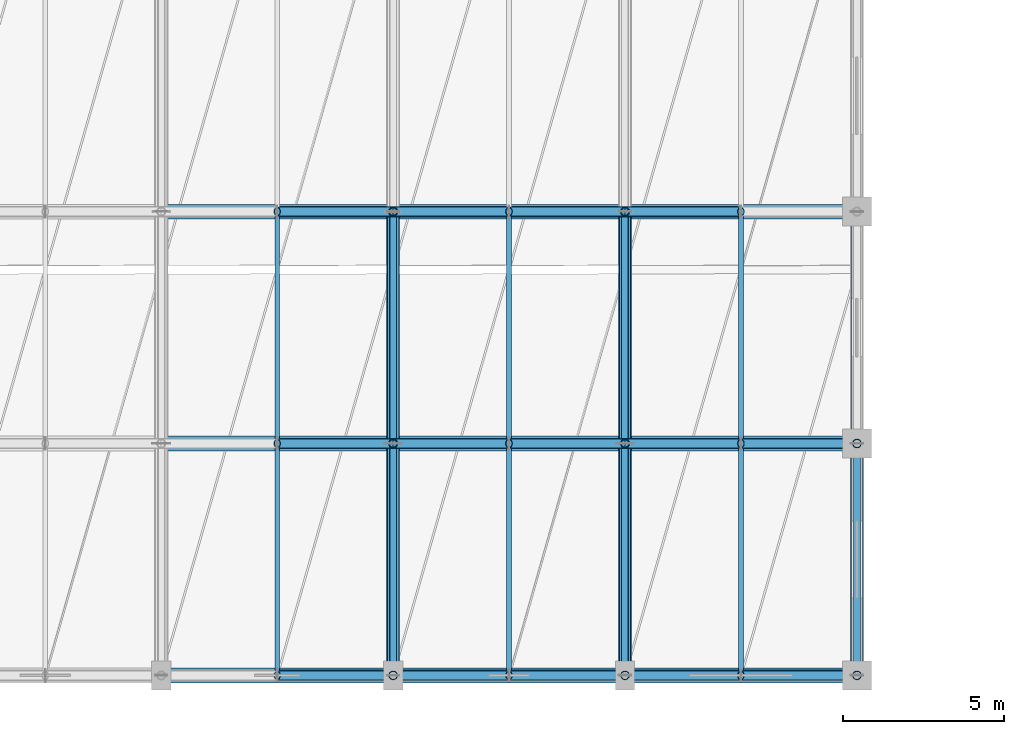
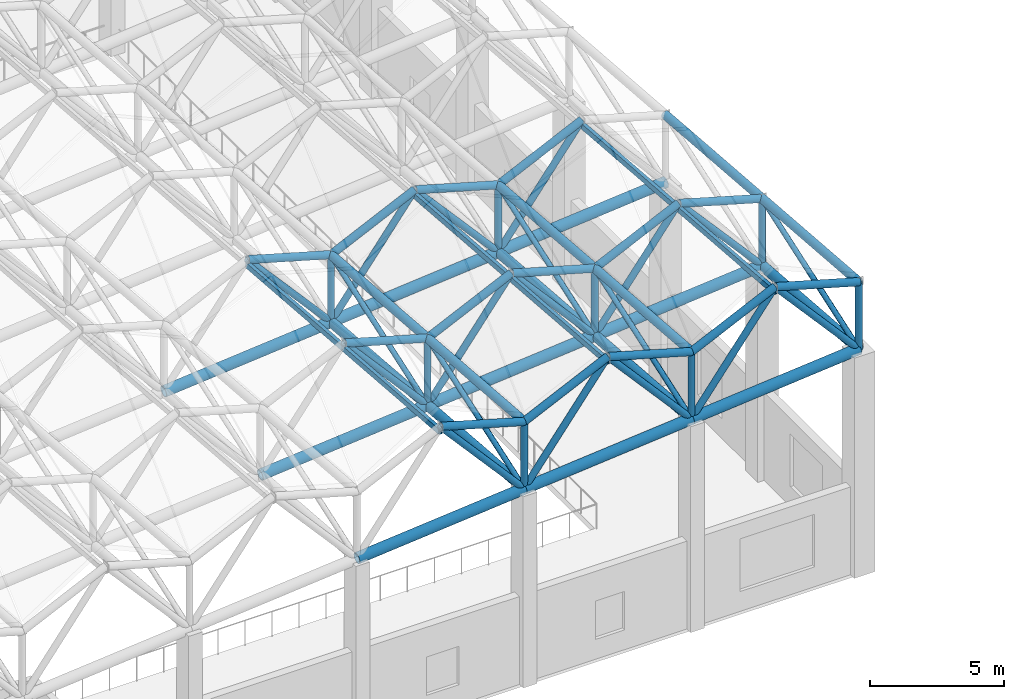
# One storey, part 21 of 113: 67 members.
"""IFC4 building model written with IfcOpenShell, lengths in metres."""

from ifc_helpers import new_model, si_unit, direction, frame, origin, origin_2d, place, context, subcontext, project, spatial, hollow_rectangle, hollow_circle, extrude, material, material_profile, profile_set, type_object, element, save


model = new_model("IFC4")

# Units and contexts
model_context = context("Model", 3, precision=1e-05, world=origin(), true_north=direction((0.0, 1.0)))
body_context = subcontext(model_context, "Body", "Model", "MODEL_VIEW")
ifc_project = project(units=[si_unit("LENGTHUNIT", "METRE"), si_unit("AREAUNIT", "SQUARE_METRE"), si_unit("VOLUMEUNIT", "CUBIC_METRE"), si_unit("PLANEANGLEUNIT", "RADIAN"), si_unit("MASSUNIT", "GRAM", prefix="KILO")], contexts=[model_context])

# Site, building, storey
site_placement = place(None, origin())
site = spatial("IfcSite", under=ifc_project, at=site_placement, CompositionType="ELEMENT")
building_placement = place(site_placement, origin())
building = spatial("IfcBuilding", under=site, at=building_placement, Name="Carrowvane Square Congress Hotel", CompositionType="ELEMENT")
storey_placement = place(building_placement, frame((0.0, 0.0, 15.0)))
storey = spatial("IfcBuildingStorey", under=building, at=storey_placement, Name="L03", CompositionType="ELEMENT", Elevation=15.0)

# Members
ifc_material_1 = material(Name="Steel S355", Category="steel")
ifc_material_profile_1 = material_profile(ifc_material_1, hollow_rectangle(XDim=0.14990234375, YDim=0.25, WallThickness=0.012451171875, at=origin_2d()), Name="RHS 250x150x12.5")
ifc_profile_set_1 = profile_set([ifc_material_profile_1], Name="Steel S355")
member_type_1 = type_object("IfcMemberType", Name="MEM-PR-RHS250", PredefinedType="PURLIN", material=ifc_profile_set_1)
member_1_placement = place(storey_placement, frame((44.0, 5.39990234375, 12.567138671875), z_axis=(0.0, 0.996864419257, -0.079128563864), x_axis=(-1.0, 0.0, 0.0)))
element("IfcMember", 1, at=member_1_placement, inside=storey, type_object=member_type_1, Name="Space-frame ridge purlin 477", PredefinedType="PURLIN", context=body_context, shape_type="SweptSolid", body=[
    extrude(hollow_rectangle(XDim=0.14990234375, YDim=0.25, WallThickness=0.012451171875, at=origin_2d()), origin(), (0.0, 0.0, 1.0), 7.222900390625),
])
member_2_placement = place(storey_placement, frame((44.0, 12.60009765625, 11.99560546875), z_axis=(0.0, 0.996866873479, -0.079097639413), x_axis=(-1.0, 0.0, 0.0)))
element("IfcMember", 2, at=member_2_placement, inside=storey, type_object=member_type_1, Name="Space-frame ridge purlin 478", PredefinedType="PURLIN", context=body_context, shape_type="SweptSolid", body=[
    extrude(hollow_rectangle(XDim=0.14990234375, YDim=0.25, WallThickness=0.012451171875, at=origin_2d()), origin(), (0.0, 0.0, 1.0), 7.22265625),
])
member_3_placement = place(storey_placement, frame((51.199951171875, 5.39990234375, 13.224365234375), z_axis=(0.0, 0.996864419257, -0.079128563864), x_axis=(-1.0, 0.0, 0.0)))
element("IfcMember", 3, at=member_3_placement, inside=storey, type_object=member_type_1, Name="Space-frame ridge purlin 484", PredefinedType="PURLIN", context=body_context, shape_type="SweptSolid", body=[
    extrude(hollow_rectangle(XDim=0.14990234375, YDim=0.25, WallThickness=0.012451171875, at=origin_2d()), origin(), (0.0, 0.0, 1.0), 7.222900390625),
])
member_4_placement = place(storey_placement, frame((51.199951171875, 12.60009765625, 12.65283203125), z_axis=(0.0, 0.996866873479, -0.079097639413), x_axis=(-1.0, 0.0, 0.0)))
element("IfcMember", 4, at=member_4_placement, inside=storey, type_object=member_type_1, Name="Space-frame ridge purlin 485", PredefinedType="PURLIN", context=body_context, shape_type="SweptSolid", body=[
    extrude(hollow_rectangle(XDim=0.14990234375, YDim=0.25, WallThickness=0.012451171875, at=origin_2d()), origin(), (0.0, 0.0, 1.0), 7.22265625),
])
member_5_placement = place(storey_placement, frame((58.39990234375, 5.39990234375, 13.88134765625), z_axis=(0.0, 0.996867084951, -0.079094974189), x_axis=(-1.0, 0.0, 0.0)))
element("IfcMember", 5, at=member_5_placement, inside=storey, type_object=member_type_1, Name="Space-frame ridge purlin 491", PredefinedType="PURLIN", context=body_context, shape_type="SweptSolid", body=[
    extrude(hollow_rectangle(XDim=0.14990234375, YDim=0.25, WallThickness=0.012451171875, at=origin_2d()), origin(), (0.0, 0.0, 1.0), 7.222900390625),
])
member_6_placement = place(storey_placement, frame((58.39990234375, 12.60009765625, 13.31005859375), z_axis=(0.0, 0.996864207606, -0.079131230206), x_axis=(-1.0, 0.0, 0.0)))
element("IfcMember", 6, at=member_6_placement, inside=storey, type_object=member_type_1, Name="Space-frame ridge purlin 492", PredefinedType="PURLIN", context=body_context, shape_type="SweptSolid", body=[
    extrude(hollow_rectangle(XDim=0.14990234375, YDim=0.25, WallThickness=0.012451171875, at=origin_2d()), origin(), (0.0, 0.0, 1.0), 7.22265625),
])
ifc_material_2 = material(Name="Steel S355", Category="steel")
ifc_material_profile_2 = material_profile(ifc_material_2, hollow_circle(Radius=0.136474609375, WallThickness=0.01611328125, at=origin_2d()), Name="CHS 273.0x16")
ifc_profile_set_2 = profile_set([ifc_material_profile_2], Name="Steel S355")
member_type_2 = type_object("IfcMemberType", Name="MEM-ST-CHS273", PredefinedType="STRUT", material=ifc_profile_set_2)
member_7_placement = place(storey_placement, frame((47.60009765625, 5.39990234375, 8.705810546875), z_axis=(0.0, 0.0, 1.0), x_axis=(1.0, 0.0, 0.0)))
element("IfcMember", 7, at=member_7_placement, inside=storey, type_object=member_type_2, Name="Space-frame vertical post 538", PredefinedType="STRUT", context=body_context, shape_type="SweptSolid", body=[
    extrude(hollow_circle(Radius=0.136474609375, WallThickness=0.01611328125, at=origin_2d()), origin(), (0.0, 0.0, 1.0), 3.0498046875),
])
for number, where, z_axis, x_axis, name in (
    (8, (47.60009765625, 12.60009765625, 8.13427734375), (0.0, 0.0, 1.0), (1.0, 0.0, 0.0), "Space-frame vertical post 539"),
    (9, (47.60009765625, 19.800048828125, 7.562744140625), (0.0, 0.0, 1.0), (1.0, 0.0, 0.0), "Space-frame vertical post 540"),
    (10, (54.800048828125, 5.39990234375, 9.36279296875), (0.0, 0.0, 1.0), (1.0, 0.0, 0.0), "Space-frame vertical post 546"),
):
    element("IfcMember", number, at=place(storey_placement, frame(where, z_axis=z_axis, x_axis=x_axis)), inside=storey, type_object=member_type_2, Name=name, PredefinedType="STRUT", context=body_context, shape_type="SweptSolid", body=[
        extrude(hollow_circle(Radius=0.136474609375, WallThickness=0.01611328125, at=origin_2d()), origin(), (0.0, 0.0, 1.0), 3.050048828125),
    ])
member_8_placement = place(storey_placement, frame((54.800048828125, 12.60009765625, 8.79150390625), z_axis=(0.0, 0.0, 1.0), x_axis=(1.0, 0.0, 0.0)))
element("IfcMember", 11, at=member_8_placement, inside=storey, type_object=member_type_2, Name="Space-frame vertical post 547", PredefinedType="STRUT", context=body_context, shape_type="SweptSolid", body=[
    extrude(hollow_circle(Radius=0.136474609375, WallThickness=0.01611328125, at=origin_2d()), origin(), (0.0, 0.0, 1.0), 3.0498046875),
])
for number, where, z_axis, x_axis, name in (
    (12, (54.800048828125, 19.800048828125, 8.219970703125), (0.0, 0.0, 1.0), (1.0, 0.0, 0.0), "Space-frame vertical post 548"),
    (13, (62.0, 5.39990234375, 10.02001953125), (0.0, 0.0, 1.0), (1.0, 0.0, 0.0), "Space-frame vertical post 554"),
    (14, (62.0, 12.60009765625, 9.448486328125), (0.0, 0.0, 1.0), (1.0, 0.0, 0.0), "Space-frame vertical post 555"),
):
    element("IfcMember", number, at=place(storey_placement, frame(where, z_axis=z_axis, x_axis=x_axis)), inside=storey, type_object=member_type_2, Name=name, PredefinedType="STRUT", context=body_context, shape_type="SweptSolid", body=[
        extrude(hollow_circle(Radius=0.136474609375, WallThickness=0.01611328125, at=origin_2d()), origin(), (0.0, 0.0, 1.0), 3.050048828125),
    ])
ifc_material_3 = material(Name="Steel S355", Category="steel")
ifc_material_profile_3 = material_profile(ifc_material_3, hollow_circle(Radius=0.161865234375, WallThickness=0.01611328125, at=origin_2d()), Name="CHS 323.9x16")
ifc_profile_set_3 = profile_set([ifc_material_profile_3], Name="Steel S355")
member_type_3 = type_object("IfcMemberType", Name="MEM-TC-CHS324", PredefinedType="CHORD", material=ifc_profile_set_3)
member_9_placement = place(storey_placement, frame((44.0, 5.39990234375, 12.787109375), z_axis=(0.961319496164, 0.0, -0.275435702651), x_axis=(0.0, 1.0, 0.0)))
element("IfcMember", 15, at=member_9_placement, inside=storey, type_object=member_type_3, Name="Space-frame folded top chord 191", PredefinedType="CHORD", context=body_context, shape_type="SweptSolid", body=[
    extrude(hollow_circle(Radius=0.161865234375, WallThickness=0.01611328125, at=origin_2d()), origin(), (0.0, 0.0, 1.0), 3.744873046875),
])
member_10_placement = place(storey_placement, frame((47.60009765625, 5.39990234375, 11.755615234375), z_axis=(0.905334279236, 0.0, 0.424699709018), x_axis=(0.0, 1.0, 0.0)))
element("IfcMember", 16, at=member_10_placement, inside=storey, type_object=member_type_3, Name="Space-frame folded top chord 195", PredefinedType="CHORD", context=body_context, shape_type="SweptSolid", body=[
    extrude(hollow_circle(Radius=0.161865234375, WallThickness=0.01611328125, at=origin_2d()), origin(), (0.0, 0.0, 1.0), 3.976318359375),
])
member_11_placement = place(storey_placement, frame((51.199951171875, 5.39990234375, 13.4443359375), z_axis=(0.961319496164, 0.0, -0.275435702651), x_axis=(0.0, 1.0, 0.0)))
element("IfcMember", 17, at=member_11_placement, inside=storey, type_object=member_type_3, Name="Space-frame folded top chord 196", PredefinedType="CHORD", context=body_context, shape_type="SweptSolid", body=[
    extrude(hollow_circle(Radius=0.161865234375, WallThickness=0.01611328125, at=origin_2d()), origin(), (0.0, 0.0, 1.0), 3.744873046875),
])
member_12_placement = place(storey_placement, frame((54.800048828125, 5.39990234375, 12.412841796875), z_axis=(0.905357886231, 0.0, 0.424649382243), x_axis=(0.0, 1.0, 0.0)))
element("IfcMember", 18, at=member_12_placement, inside=storey, type_object=member_type_3, Name="Space-frame folded top chord 200", PredefinedType="CHORD", context=body_context, shape_type="SweptSolid", body=[
    extrude(hollow_circle(Radius=0.161865234375, WallThickness=0.01611328125, at=origin_2d()), origin(), (0.0, 0.0, 1.0), 3.97607421875),
])
for number, where, z_axis, x_axis, name in (
    (19, (58.39990234375, 5.39990234375, 14.101318359375), (0.961336756204, 0.0, -0.275375454917), (0.0, 1.0, 0.0), "Space-frame folded top chord 201"),
    (20, (44.0, 12.60009765625, 12.2158203125), (0.961319496164, 0.0, -0.275435702651), (0.0, 1.0, 0.0), "Space-frame folded top chord 226"),
):
    element("IfcMember", number, at=place(storey_placement, frame(where, z_axis=z_axis, x_axis=x_axis)), inside=storey, type_object=member_type_3, Name=name, PredefinedType="CHORD", context=body_context, shape_type="SweptSolid", body=[
        extrude(hollow_circle(Radius=0.161865234375, WallThickness=0.01611328125, at=origin_2d()), origin(), (0.0, 0.0, 1.0), 3.744873046875),
    ])
member_13_placement = place(storey_placement, frame((47.60009765625, 12.60009765625, 11.184326171875), z_axis=(0.905357886231, 0.0, 0.424649382243), x_axis=(0.0, 1.0, 0.0)))
element("IfcMember", 21, at=member_13_placement, inside=storey, type_object=member_type_3, Name="Space-frame folded top chord 230", PredefinedType="CHORD", context=body_context, shape_type="SweptSolid", body=[
    extrude(hollow_circle(Radius=0.161865234375, WallThickness=0.01611328125, at=origin_2d()), origin(), (0.0, 0.0, 1.0), 3.97607421875),
])
member_14_placement = place(storey_placement, frame((51.199951171875, 12.60009765625, 12.872802734375), z_axis=(0.961319496164, 0.0, -0.275435702651), x_axis=(0.0, 1.0, 0.0)))
element("IfcMember", 22, at=member_14_placement, inside=storey, type_object=member_type_3, Name="Space-frame folded top chord 231", PredefinedType="CHORD", context=body_context, shape_type="SweptSolid", body=[
    extrude(hollow_circle(Radius=0.161865234375, WallThickness=0.01611328125, at=origin_2d()), origin(), (0.0, 0.0, 1.0), 3.744873046875),
])
member_15_placement = place(storey_placement, frame((54.800048828125, 12.60009765625, 11.84130859375), z_axis=(0.905334279236, 0.0, 0.424699709018), x_axis=(0.0, 1.0, 0.0)))
element("IfcMember", 23, at=member_15_placement, inside=storey, type_object=member_type_3, Name="Space-frame folded top chord 235", PredefinedType="CHORD", context=body_context, shape_type="SweptSolid", body=[
    extrude(hollow_circle(Radius=0.161865234375, WallThickness=0.01611328125, at=origin_2d()), origin(), (0.0, 0.0, 1.0), 3.976318359375),
])
for number, where, z_axis, x_axis, name in (
    (24, (58.39990234375, 12.60009765625, 13.530029296875), (0.961319496164, 0.0, -0.275435702651), (0.0, 1.0, 0.0), "Space-frame folded top chord 236"),
    (25, (44.0, 19.800048828125, 11.644287109375), (0.961319496164, 0.0, -0.275435702651), (0.0, 1.0, 0.0), "Space-frame folded top chord 261"),
):
    element("IfcMember", number, at=place(storey_placement, frame(where, z_axis=z_axis, x_axis=x_axis)), inside=storey, type_object=member_type_3, Name=name, PredefinedType="CHORD", context=body_context, shape_type="SweptSolid", body=[
        extrude(hollow_circle(Radius=0.161865234375, WallThickness=0.01611328125, at=origin_2d()), origin(), (0.0, 0.0, 1.0), 3.744873046875),
    ])
member_16_placement = place(storey_placement, frame((47.60009765625, 19.800048828125, 10.61279296875), z_axis=(0.905334279236, 0.0, 0.424699709018), x_axis=(0.0, 1.0, 0.0)))
element("IfcMember", 26, at=member_16_placement, inside=storey, type_object=member_type_3, Name="Space-frame folded top chord 265", PredefinedType="CHORD", context=body_context, shape_type="SweptSolid", body=[
    extrude(hollow_circle(Radius=0.161865234375, WallThickness=0.01611328125, at=origin_2d()), origin(), (0.0, 0.0, 1.0), 3.976318359375),
])
member_17_placement = place(storey_placement, frame((51.199951171875, 19.800048828125, 12.301513671875), z_axis=(0.961319496164, 0.0, -0.275435702651), x_axis=(0.0, 1.0, 0.0)))
element("IfcMember", 27, at=member_17_placement, inside=storey, type_object=member_type_3, Name="Space-frame folded top chord 266", PredefinedType="CHORD", context=body_context, shape_type="SweptSolid", body=[
    extrude(hollow_circle(Radius=0.161865234375, WallThickness=0.01611328125, at=origin_2d()), origin(), (0.0, 0.0, 1.0), 3.744873046875),
])
member_18_placement = place(storey_placement, frame((54.800048828125, 19.800048828125, 11.27001953125), z_axis=(0.905357886231, 0.0, 0.424649382243), x_axis=(0.0, 1.0, 0.0)))
element("IfcMember", 28, at=member_18_placement, inside=storey, type_object=member_type_3, Name="Space-frame folded top chord 270", PredefinedType="CHORD", context=body_context, shape_type="SweptSolid", body=[
    extrude(hollow_circle(Radius=0.161865234375, WallThickness=0.01611328125, at=origin_2d()), origin(), (0.0, 0.0, 1.0), 3.97607421875),
])
ifc_material_4 = material(Name="Steel S355", Category="steel")
ifc_material_profile_4 = material_profile(ifc_material_4, hollow_circle(Radius=0.177734375, WallThickness=0.02001953125, at=origin_2d()), Name="CHS 355.6x20")
ifc_profile_set_4 = profile_set([ifc_material_profile_4], Name="Steel S355")
member_type_4 = type_object("IfcMemberType", Name="MEM-TC-CHS356", PredefinedType="CHORD", material=ifc_profile_set_4)
member_19_placement = place(storey_placement, frame((47.60009765625, 5.39990234375, 11.755615234375), z_axis=(0.0, 0.996867084951, -0.079094974189), x_axis=(-1.0, 0.0, 0.0)))
element("IfcMember", 29, at=member_19_placement, inside=storey, type_object=member_type_4, Name="Space-frame valley top chord 106", PredefinedType="CHORD", context=body_context, shape_type="SweptSolid", body=[
    extrude(hollow_circle(Radius=0.177734375, WallThickness=0.02001953125, at=origin_2d()), origin(), (0.0, 0.0, 1.0), 7.222900390625),
])
member_20_placement = place(storey_placement, frame((47.60009765625, 12.60009765625, 11.184326171875), z_axis=(0.0, 0.996864207606, -0.079131230206), x_axis=(-1.0, 0.0, 0.0)))
element("IfcMember", 30, at=member_20_placement, inside=storey, type_object=member_type_4, Name="Space-frame valley top chord 109", PredefinedType="CHORD", context=body_context, shape_type="SweptSolid", body=[
    extrude(hollow_circle(Radius=0.177734375, WallThickness=0.02001953125, at=origin_2d()), origin(), (0.0, 0.0, 1.0), 7.22265625),
])
member_21_placement = place(storey_placement, frame((54.800048828125, 5.39990234375, 12.412841796875), z_axis=(0.0, 0.996864419257, -0.079128563864), x_axis=(-1.0, 0.0, 0.0)))
element("IfcMember", 31, at=member_21_placement, inside=storey, type_object=member_type_4, Name="Space-frame valley top chord 127", PredefinedType="CHORD", context=body_context, shape_type="SweptSolid", body=[
    extrude(hollow_circle(Radius=0.177734375, WallThickness=0.02001953125, at=origin_2d()), origin(), (0.0, 0.0, 1.0), 7.222900390625),
])
member_22_placement = place(storey_placement, frame((54.800048828125, 12.60009765625, 11.84130859375), z_axis=(0.0, 0.996866873479, -0.079097639413), x_axis=(-1.0, 0.0, 0.0)))
element("IfcMember", 32, at=member_22_placement, inside=storey, type_object=member_type_4, Name="Space-frame valley top chord 130", PredefinedType="CHORD", context=body_context, shape_type="SweptSolid", body=[
    extrude(hollow_circle(Radius=0.177734375, WallThickness=0.02001953125, at=origin_2d()), origin(), (0.0, 0.0, 1.0), 7.22265625),
])
member_23_placement = place(storey_placement, frame((62.0, 5.39990234375, 13.070068359375), z_axis=(0.0, 0.996864419257, -0.079128563864), x_axis=(-1.0, 0.0, 0.0)))
element("IfcMember", 33, at=member_23_placement, inside=storey, type_object=member_type_4, Name="Space-frame valley top chord 148", PredefinedType="CHORD", context=body_context, shape_type="SweptSolid", body=[
    extrude(hollow_circle(Radius=0.177734375, WallThickness=0.02001953125, at=origin_2d()), origin(), (0.0, 0.0, 1.0), 7.222900390625),
])
member_24_placement = place(storey_placement, frame((62.0, 12.60009765625, 12.49853515625), z_axis=(0.0, 0.996866873479, -0.079097639413), x_axis=(-1.0, 0.0, 0.0)))
element("IfcMember", 34, at=member_24_placement, inside=storey, type_object=member_type_4, Name="Space-frame valley top chord 151", PredefinedType="CHORD", context=body_context, shape_type="SweptSolid", body=[
    extrude(hollow_circle(Radius=0.177734375, WallThickness=0.02001953125, at=origin_2d()), origin(), (0.0, 0.0, 1.0), 7.22265625),
])
ifc_material_5 = material(Name="Steel S355", Category="steel")
ifc_material_profile_5 = material_profile(ifc_material_5, hollow_circle(Radius=0.203125, WallThickness=0.02001953125, at=origin_2d()), Name="CHS 406.4x20")
ifc_profile_set_5 = profile_set([ifc_material_profile_5], Name="Steel S355")
member_type_5 = type_object("IfcMemberType", Name="MEM-TC-CHS406", PredefinedType="CHORD", material=ifc_profile_set_5)
member_25_placement = place(storey_placement, frame((47.60009765625, 5.39990234375, 8.705810546875), z_axis=(0.0, 0.996864419257, -0.079128563864), x_axis=(-1.0, 0.0, 0.0)))
element("IfcMember", 35, at=member_25_placement, inside=storey, type_object=member_type_5, Name="Space-frame bottom chord 107", PredefinedType="CHORD", context=body_context, shape_type="SweptSolid", body=[
    extrude(hollow_circle(Radius=0.203125, WallThickness=0.02001953125, at=origin_2d()), origin(), (0.0, 0.0, 1.0), 7.222900390625),
])
member_26_placement = place(storey_placement, frame((47.60009765625, 12.60009765625, 8.13427734375), z_axis=(0.0, 0.996864207606, -0.079131230206), x_axis=(-1.0, 0.0, 0.0)))
element("IfcMember", 36, at=member_26_placement, inside=storey, type_object=member_type_5, Name="Space-frame bottom chord 110", PredefinedType="CHORD", context=body_context, shape_type="SweptSolid", body=[
    extrude(hollow_circle(Radius=0.203125, WallThickness=0.02001953125, at=origin_2d()), origin(), (0.0, 0.0, 1.0), 7.22265625),
])
member_27_placement = place(storey_placement, frame((54.800048828125, 5.39990234375, 9.36279296875), z_axis=(0.0, 0.996867084951, -0.079094974189), x_axis=(-1.0, 0.0, 0.0)))
element("IfcMember", 37, at=member_27_placement, inside=storey, type_object=member_type_5, Name="Space-frame bottom chord 128", PredefinedType="CHORD", context=body_context, shape_type="SweptSolid", body=[
    extrude(hollow_circle(Radius=0.203125, WallThickness=0.02001953125, at=origin_2d()), origin(), (0.0, 0.0, 1.0), 7.222900390625),
])
member_28_placement = place(storey_placement, frame((54.800048828125, 12.60009765625, 8.79150390625), z_axis=(0.0, 0.996864207606, -0.079131230206), x_axis=(-1.0, 0.0, 0.0)))
element("IfcMember", 38, at=member_28_placement, inside=storey, type_object=member_type_5, Name="Space-frame bottom chord 131", PredefinedType="CHORD", context=body_context, shape_type="SweptSolid", body=[
    extrude(hollow_circle(Radius=0.203125, WallThickness=0.02001953125, at=origin_2d()), origin(), (0.0, 0.0, 1.0), 7.22265625),
])
member_29_placement = place(storey_placement, frame((62.0, 5.39990234375, 10.02001953125), z_axis=(0.0, 0.996864419257, -0.079128563864), x_axis=(-1.0, 0.0, 0.0)))
element("IfcMember", 39, at=member_29_placement, inside=storey, type_object=member_type_5, Name="Space-frame bottom chord 149", PredefinedType="CHORD", context=body_context, shape_type="SweptSolid", body=[
    extrude(hollow_circle(Radius=0.203125, WallThickness=0.02001953125, at=origin_2d()), origin(), (0.0, 0.0, 1.0), 7.222900390625),
])
ifc_material_6 = material(Name="Steel S355", Category="steel")
ifc_material_profile_6 = material_profile(ifc_material_6, hollow_circle(Radius=0.228515625, WallThickness=0.02490234375, at=origin_2d()), Name="CHS 457.0x25")
ifc_profile_set_6 = profile_set([ifc_material_profile_6], Name="Steel S355")
member_type_6 = type_object("IfcMemberType", Name="MEM-TC-CHS457", PredefinedType="CHORD", material=ifc_profile_set_6)
member_30_placement = place(storey_placement, frame((40.39990234375, 5.39990234375, 8.048583984375), z_axis=(0.995859925891, 0.0, 0.090901089126), x_axis=(0.0, 1.0, 0.0)))
element("IfcMember", 40, at=member_30_placement, inside=storey, type_object=member_type_6, Name="Space-frame cross bottom chord 189", PredefinedType="CHORD", context=body_context, shape_type="SweptSolid", body=[
    extrude(hollow_circle(Radius=0.228515625, WallThickness=0.02490234375, at=origin_2d()), origin(), (0.0, 0.0, 1.0), 7.230224609375),
])
for number, where, z_axis, x_axis, name in (
    (41, (47.60009765625, 5.39990234375, 8.705810546875), (0.99586270327, 0.0, 0.090870656624), (0.0, 1.0, 0.0), "Space-frame cross bottom chord 194"),
    (42, (54.800048828125, 5.39990234375, 9.36279296875), (0.995859646859, 0.0, 0.090904145988), (0.0, 1.0, 0.0), "Space-frame cross bottom chord 199"),
):
    element("IfcMember", number, at=place(storey_placement, frame(where, z_axis=z_axis, x_axis=x_axis)), inside=storey, type_object=member_type_6, Name=name, PredefinedType="CHORD", context=body_context, shape_type="SweptSolid", body=[
        extrude(hollow_circle(Radius=0.228515625, WallThickness=0.02490234375, at=origin_2d()), origin(), (0.0, 0.0, 1.0), 7.22998046875),
    ])
member_31_placement = place(storey_placement, frame((40.39990234375, 12.60009765625, 7.47705078125), z_axis=(0.995859925891, 0.0, 0.090901089126), x_axis=(0.0, 1.0, 0.0)))
element("IfcMember", 43, at=member_31_placement, inside=storey, type_object=member_type_6, Name="Space-frame cross bottom chord 224", PredefinedType="CHORD", context=body_context, shape_type="SweptSolid", body=[
    extrude(hollow_circle(Radius=0.228515625, WallThickness=0.02490234375, at=origin_2d()), origin(), (0.0, 0.0, 1.0), 7.230224609375),
])
for number, where, z_axis, x_axis, name in (
    (44, (47.60009765625, 12.60009765625, 8.13427734375), (0.995859646859, 0.0, 0.090904145988), (0.0, 1.0, 0.0), "Space-frame cross bottom chord 229"),
    (45, (54.800048828125, 12.60009765625, 8.79150390625), (0.99586270327, 0.0, 0.090870656624), (0.0, 1.0, 0.0), "Space-frame cross bottom chord 234"),
):
    element("IfcMember", number, at=place(storey_placement, frame(where, z_axis=z_axis, x_axis=x_axis)), inside=storey, type_object=member_type_6, Name=name, PredefinedType="CHORD", context=body_context, shape_type="SweptSolid", body=[
        extrude(hollow_circle(Radius=0.228515625, WallThickness=0.02490234375, at=origin_2d()), origin(), (0.0, 0.0, 1.0), 7.22998046875),
    ])
member_32_placement = place(storey_placement, frame((40.39990234375, 19.800048828125, 6.90576171875), z_axis=(0.995862982098, 0.0, 0.090867600869), x_axis=(0.0, 1.0, 0.0)))
element("IfcMember", 46, at=member_32_placement, inside=storey, type_object=member_type_6, Name="Space-frame cross bottom chord 259", PredefinedType="CHORD", context=body_context, shape_type="SweptSolid", body=[
    extrude(hollow_circle(Radius=0.228515625, WallThickness=0.02490234375, at=origin_2d()), origin(), (0.0, 0.0, 1.0), 7.230224609375),
])
for number, where, z_axis, x_axis, name in (
    (47, (47.60009765625, 19.800048828125, 7.562744140625), (0.995859646859, 0.0, 0.090904145988), (0.0, 1.0, 0.0), "Space-frame cross bottom chord 264"),
    (48, (54.800048828125, 19.800048828125, 8.219970703125), (0.995859646859, 0.0, 0.090904145988), (0.0, 1.0, 0.0), "Space-frame cross bottom chord 269"),
):
    element("IfcMember", number, at=place(storey_placement, frame(where, z_axis=z_axis, x_axis=x_axis)), inside=storey, type_object=member_type_6, Name=name, PredefinedType="CHORD", context=body_context, shape_type="SweptSolid", body=[
        extrude(hollow_circle(Radius=0.228515625, WallThickness=0.02490234375, at=origin_2d()), origin(), (0.0, 0.0, 1.0), 7.22998046875),
    ])
ifc_material_7 = material(Name="Steel S355", Category="steel")
ifc_material_profile_7 = material_profile(ifc_material_7, hollow_circle(Radius=0.109619140625, WallThickness=0.012451171875, at=origin_2d()), Name="CHS 219.1x12.5")
ifc_profile_set_7 = profile_set([ifc_material_profile_7], Name="Steel S355")
member_type_7 = type_object("IfcMemberType", Name="MEM-TD-CHS219", PredefinedType="BRACE", material=ifc_profile_set_7)
member_33_placement = place(storey_placement, frame((47.60009765625, 5.39990234375, 8.705810546875), z_axis=(0.0, 0.945547291607, 0.325484745165), x_axis=(-1.0, 0.0, 0.0)))
element("IfcMember", 49, at=member_33_placement, inside=storey, type_object=member_type_7, Name="Space-frame web diagonal 108", PredefinedType="BRACE", context=body_context, shape_type="SweptSolid", body=[
    extrude(hollow_circle(Radius=0.109619140625, WallThickness=0.012451171875, at=origin_2d()), origin(), (0.0, 0.0, 1.0), 7.61474609375),
])
member_34_placement = place(storey_placement, frame((47.60009765625, 12.60009765625, 8.13427734375), z_axis=(0.0, 0.945543894884, 0.325494612623), x_axis=(-1.0, 0.0, 0.0)))
element("IfcMember", 50, at=member_34_placement, inside=storey, type_object=member_type_7, Name="Space-frame web diagonal 111", PredefinedType="BRACE", context=body_context, shape_type="SweptSolid", body=[
    extrude(hollow_circle(Radius=0.109619140625, WallThickness=0.012451171875, at=origin_2d()), origin(), (0.0, 0.0, 1.0), 7.614501953125),
])
member_35_placement = place(storey_placement, frame((54.800048828125, 5.39990234375, 9.36279296875), z_axis=(0.0, 0.945547291607, 0.325484745165), x_axis=(-1.0, 0.0, 0.0)))
element("IfcMember", 51, at=member_35_placement, inside=storey, type_object=member_type_7, Name="Space-frame web diagonal 129", PredefinedType="BRACE", context=body_context, shape_type="SweptSolid", body=[
    extrude(hollow_circle(Radius=0.109619140625, WallThickness=0.012451171875, at=origin_2d()), origin(), (0.0, 0.0, 1.0), 7.61474609375),
])
member_36_placement = place(storey_placement, frame((54.800048828125, 12.60009765625, 8.79150390625), z_axis=(0.0, 0.945543894884, 0.325494612623), x_axis=(-1.0, 0.0, 0.0)))
element("IfcMember", 52, at=member_36_placement, inside=storey, type_object=member_type_7, Name="Space-frame web diagonal 132", PredefinedType="BRACE", context=body_context, shape_type="SweptSolid", body=[
    extrude(hollow_circle(Radius=0.109619140625, WallThickness=0.012451171875, at=origin_2d()), origin(), (0.0, 0.0, 1.0), 7.614501953125),
])
member_37_placement = place(storey_placement, frame((62.0, 5.39990234375, 10.02001953125), z_axis=(0.0, 0.945547291607, 0.325484745165), x_axis=(-1.0, 0.0, 0.0)))
element("IfcMember", 53, at=member_37_placement, inside=storey, type_object=member_type_7, Name="Space-frame web diagonal 150", PredefinedType="BRACE", context=body_context, shape_type="SweptSolid", body=[
    extrude(hollow_circle(Radius=0.109619140625, WallThickness=0.012451171875, at=origin_2d()), origin(), (0.0, 0.0, 1.0), 7.61474609375),
])
ifc_material_8 = material(Name="Steel S355", Category="steel")
ifc_material_profile_8 = material_profile(ifc_material_8, hollow_circle(Radius=0.136474609375, WallThickness=0.01611328125, at=origin_2d()), Name="CHS 273.0x16")
ifc_profile_set_8 = profile_set([ifc_material_profile_8], Name="Steel S355")
member_type_8 = type_object("IfcMemberType", Name="MEM-TD-CHS273", PredefinedType="BRACE", material=ifc_profile_set_8)
member_38_placement = place(storey_placement, frame((47.60009765625, 5.39990234375, 8.705810546875), z_axis=(-0.66151331907, 0.0, 0.749933416173), x_axis=(0.0, -1.0, 0.0)))
element("IfcMember", 54, at=member_38_placement, inside=storey, type_object=member_type_8, Name="Space-frame space diagonal 193", PredefinedType="BRACE", context=body_context, shape_type="SweptSolid", body=[
    extrude(hollow_circle(Radius=0.136474609375, WallThickness=0.01611328125, at=origin_2d()), origin(), (0.0, 0.0, 1.0), 5.442138671875),
])
member_39_placement = place(storey_placement, frame((47.60009765625, 5.39990234375, 8.705810546875), z_axis=(0.604931384673, 0.0, 0.796277602246), x_axis=(0.0, 1.0, 0.0)))
element("IfcMember", 55, at=member_39_placement, inside=storey, type_object=member_type_8, Name="Space-frame space diagonal 197", PredefinedType="BRACE", context=body_context, shape_type="SweptSolid", body=[
    extrude(hollow_circle(Radius=0.136474609375, WallThickness=0.01611328125, at=origin_2d()), origin(), (0.0, 0.0, 1.0), 5.950927734375),
])
member_40_placement = place(storey_placement, frame((54.800048828125, 5.39990234375, 9.36279296875), z_axis=(-0.661491064627, 0.0, 0.749953046143), x_axis=(0.0, -1.0, 0.0)))
element("IfcMember", 56, at=member_40_placement, inside=storey, type_object=member_type_8, Name="Space-frame space diagonal 198", PredefinedType="BRACE", context=body_context, shape_type="SweptSolid", body=[
    extrude(hollow_circle(Radius=0.136474609375, WallThickness=0.01611328125, at=origin_2d()), origin(), (0.0, 0.0, 1.0), 5.4423828125),
])
member_41_placement = place(storey_placement, frame((54.800048828125, 5.39990234375, 9.36279296875), z_axis=(0.604931384673, 0.0, 0.796277602246), x_axis=(0.0, 1.0, 0.0)))
element("IfcMember", 57, at=member_41_placement, inside=storey, type_object=member_type_8, Name="Space-frame space diagonal 202", PredefinedType="BRACE", context=body_context, shape_type="SweptSolid", body=[
    extrude(hollow_circle(Radius=0.136474609375, WallThickness=0.01611328125, at=origin_2d()), origin(), (0.0, 0.0, 1.0), 5.950927734375),
])
member_42_placement = place(storey_placement, frame((62.0, 5.39990234375, 10.02001953125), z_axis=(-0.66151331907, 0.0, 0.749933416173), x_axis=(0.0, -1.0, 0.0)))
element("IfcMember", 58, at=member_42_placement, inside=storey, type_object=member_type_8, Name="Space-frame space diagonal 203", PredefinedType="BRACE", context=body_context, shape_type="SweptSolid", body=[
    extrude(hollow_circle(Radius=0.136474609375, WallThickness=0.01611328125, at=origin_2d()), origin(), (0.0, 0.0, 1.0), 5.442138671875),
])
member_43_placement = place(storey_placement, frame((47.60009765625, 12.60009765625, 8.13427734375), z_axis=(-0.661491064627, 0.0, 0.749953046143), x_axis=(0.0, -1.0, 0.0)))
element("IfcMember", 59, at=member_43_placement, inside=storey, type_object=member_type_8, Name="Space-frame space diagonal 228", PredefinedType="BRACE", context=body_context, shape_type="SweptSolid", body=[
    extrude(hollow_circle(Radius=0.136474609375, WallThickness=0.01611328125, at=origin_2d()), origin(), (0.0, 0.0, 1.0), 5.4423828125),
])
member_44_placement = place(storey_placement, frame((47.60009765625, 12.60009765625, 8.13427734375), z_axis=(0.604931384673, 0.0, 0.796277602246), x_axis=(0.0, 1.0, 0.0)))
element("IfcMember", 60, at=member_44_placement, inside=storey, type_object=member_type_8, Name="Space-frame space diagonal 232", PredefinedType="BRACE", context=body_context, shape_type="SweptSolid", body=[
    extrude(hollow_circle(Radius=0.136474609375, WallThickness=0.01611328125, at=origin_2d()), origin(), (0.0, 0.0, 1.0), 5.950927734375),
])
member_45_placement = place(storey_placement, frame((54.800048828125, 12.60009765625, 8.79150390625), z_axis=(-0.66151331907, 0.0, 0.749933416173), x_axis=(0.0, -1.0, 0.0)))
element("IfcMember", 61, at=member_45_placement, inside=storey, type_object=member_type_8, Name="Space-frame space diagonal 233", PredefinedType="BRACE", context=body_context, shape_type="SweptSolid", body=[
    extrude(hollow_circle(Radius=0.136474609375, WallThickness=0.01611328125, at=origin_2d()), origin(), (0.0, 0.0, 1.0), 5.442138671875),
])
member_46_placement = place(storey_placement, frame((54.800048828125, 12.60009765625, 8.79150390625), z_axis=(0.604931384673, 0.0, 0.796277602246), x_axis=(0.0, 1.0, 0.0)))
element("IfcMember", 62, at=member_46_placement, inside=storey, type_object=member_type_8, Name="Space-frame space diagonal 237", PredefinedType="BRACE", context=body_context, shape_type="SweptSolid", body=[
    extrude(hollow_circle(Radius=0.136474609375, WallThickness=0.01611328125, at=origin_2d()), origin(), (0.0, 0.0, 1.0), 5.950927734375),
])
for number, where, z_axis, x_axis, name in (
    (63, (62.0, 12.60009765625, 9.448486328125), (-0.661491064627, 0.0, 0.749953046143), (0.0, -1.0, 0.0), "Space-frame space diagonal 238"),
    (64, (47.60009765625, 19.800048828125, 7.562744140625), (-0.661491064627, 0.0, 0.749953046143), (0.0, -1.0, 0.0), "Space-frame space diagonal 263"),
):
    element("IfcMember", number, at=place(storey_placement, frame(where, z_axis=z_axis, x_axis=x_axis)), inside=storey, type_object=member_type_8, Name=name, PredefinedType="BRACE", context=body_context, shape_type="SweptSolid", body=[
        extrude(hollow_circle(Radius=0.136474609375, WallThickness=0.01611328125, at=origin_2d()), origin(), (0.0, 0.0, 1.0), 5.4423828125),
    ])
member_47_placement = place(storey_placement, frame((47.60009765625, 19.800048828125, 7.562744140625), z_axis=(0.604911623084, 0.0, 0.79629261472), x_axis=(0.0, 1.0, 0.0)))
element("IfcMember", 65, at=member_47_placement, inside=storey, type_object=member_type_8, Name="Space-frame space diagonal 267", PredefinedType="BRACE", context=body_context, shape_type="SweptSolid", body=[
    extrude(hollow_circle(Radius=0.136474609375, WallThickness=0.01611328125, at=origin_2d()), origin(), (0.0, 0.0, 1.0), 5.950927734375),
])
member_48_placement = place(storey_placement, frame((54.800048828125, 19.800048828125, 8.219970703125), z_axis=(-0.661491064627, 0.0, 0.749953046143), x_axis=(0.0, -1.0, 0.0)))
element("IfcMember", 66, at=member_48_placement, inside=storey, type_object=member_type_8, Name="Space-frame space diagonal 268", PredefinedType="BRACE", context=body_context, shape_type="SweptSolid", body=[
    extrude(hollow_circle(Radius=0.136474609375, WallThickness=0.01611328125, at=origin_2d()), origin(), (0.0, 0.0, 1.0), 5.4423828125),
])
member_49_placement = place(storey_placement, frame((54.800048828125, 19.800048828125, 8.219970703125), z_axis=(0.604931384673, 0.0, 0.796277602246), x_axis=(0.0, 1.0, 0.0)))
element("IfcMember", 67, at=member_49_placement, inside=storey, type_object=member_type_8, Name="Space-frame space diagonal 272", PredefinedType="BRACE", context=body_context, shape_type="SweptSolid", body=[
    extrude(hollow_circle(Radius=0.136474609375, WallThickness=0.01611328125, at=origin_2d()), origin(), (0.0, 0.0, 1.0), 5.950927734375),
])

save(model, "model.ifc")
